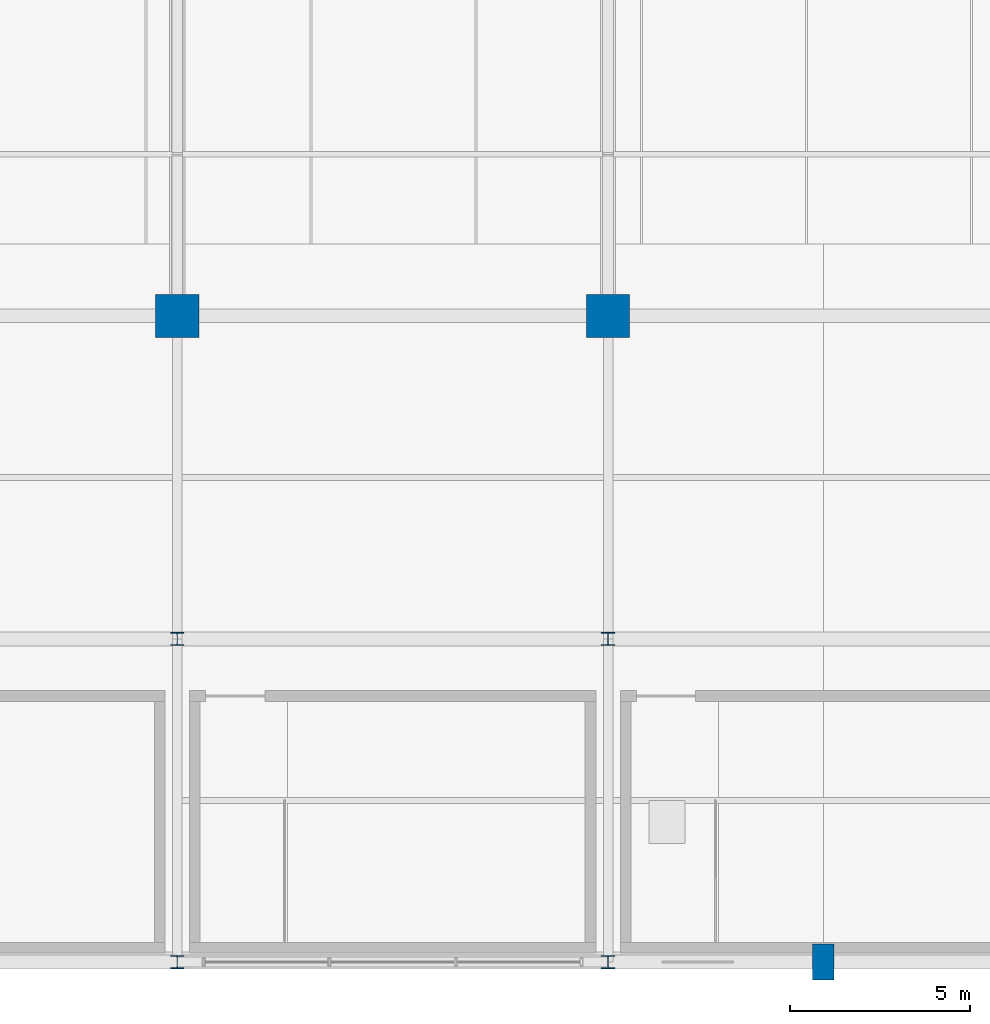
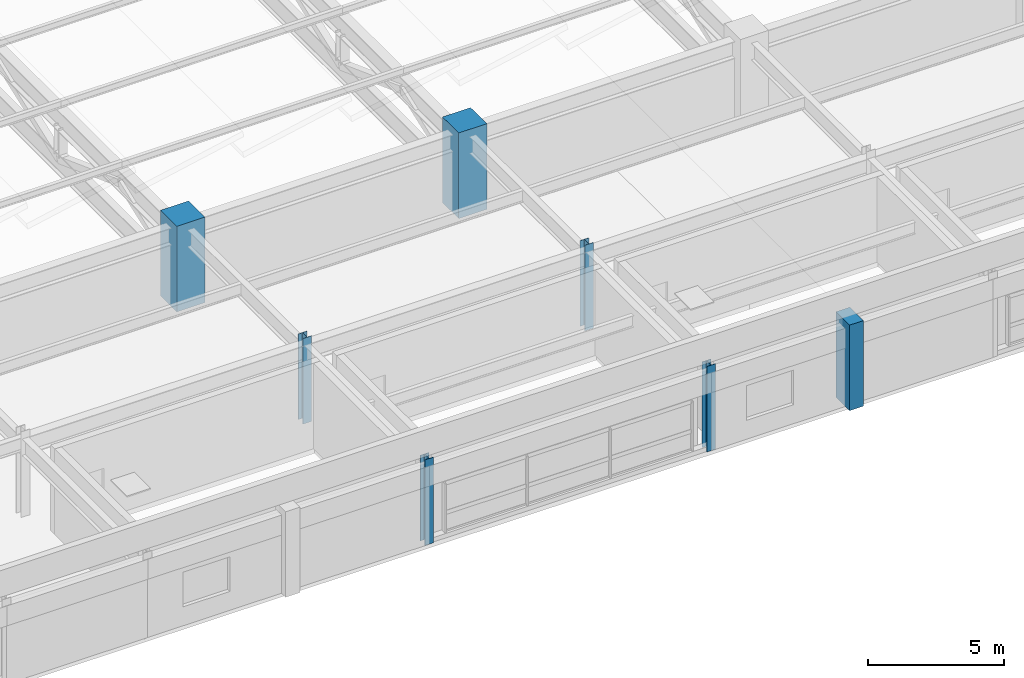
# One storey, part 2 of 108: 7 columns.
"""IFC4 building model written with IfcOpenShell, lengths in metres."""

from ifc_helpers import new_model, si_unit, direction, frame, origin, origin_2d, place, context, subcontext, project, spatial, rectangle, i_section, extrude, material, material_profile, profile_set, type_object, element, save


model = new_model("IFC4")

# Units and contexts
model_context = context("Model", 3, precision=1e-05, world=origin(), true_north=direction((0.0, 1.0)))
body_context = subcontext(model_context, "Body", "Model", "MODEL_VIEW")
ifc_project = project(units=[si_unit("LENGTHUNIT", "METRE"), si_unit("AREAUNIT", "SQUARE_METRE"), si_unit("VOLUMEUNIT", "CUBIC_METRE"), si_unit("PLANEANGLEUNIT", "RADIAN"), si_unit("MASSUNIT", "GRAM", prefix="KILO")], contexts=[model_context])

# Site, building, storey
site_placement = place(None, origin())
site = spatial("IfcSite", under=ifc_project, at=site_placement, CompositionType="ELEMENT")
building_placement = place(site_placement, origin())
building = spatial("IfcBuilding", under=site, at=building_placement, Name="Kaldorvane Square Convention Centre", CompositionType="ELEMENT")
storey_placement = place(building_placement, frame((0.0, 0.0, 23.399993896484375)))
storey = spatial("IfcBuildingStorey", under=building, at=storey_placement, Name="L04", CompositionType="ELEMENT", Elevation=23.399993896484375)

# Columns
ifc_material_1 = material(Name="Concrete f'c = 55 MPa (Normalweight)", Category="concrete")
ifc_material_profile_1 = material_profile(ifc_material_1, rectangle(XDim=1.1999969482421875, YDim=1.1999969482421875, at=origin_2d()), Name="RC1200X1200")
ifc_profile_set_1 = profile_set([ifc_material_profile_1], Name="Concrete f'c = 55 MPa (Normalweight)")
column_type_1 = type_object("IfcColumnType", Name="COL-MEGA-1200", PredefinedType="COLUMN", material=ifc_profile_set_1)
for number, where, z_axis, x_axis, name in (
    (1, (42.0, 18.0, 0.0), (0.0, 0.0, 1.0), (1.0, 0.0, 0.0), "Column MC-02 (L04)"),
    (2, (54.0, 18.0, 0.0), (0.0, 0.0, 1.0), (1.0, 0.0, 0.0), "Column MC-02 (L04)"),
):
    element("IfcColumn", number, at=place(storey_placement, frame(where, z_axis=z_axis, x_axis=x_axis)), inside=storey, type_object=column_type_1, Name=name, PredefinedType="COLUMN", context=body_context, shape_type="SweptSolid", body=[
        extrude(rectangle(XDim=1.1999969482421875, YDim=1.1999969482421875, at=origin_2d()), origin(), (0.0, 0.0, 1.0), 3.850006103515625),
    ])
ifc_material_2 = material(Name="Steel ASTM A992 Gr. 50", Category="steel")
ifc_material_profile_2 = material_profile(ifc_material_2, i_section(OverallWidth=0.3701019287109375, OverallDepth=0.360198974609375, WebThickness=0.012298583984375, FlangeThickness=0.019805908203125, FilletRadius=0.0305023193359375, at=origin_2d()), Name="W14X99")
ifc_profile_set_2 = profile_set([ifc_material_profile_2], Name="Steel ASTM A992 Gr. 50")
column_type_2 = type_object("IfcColumnType", Name="COL-STL-99", PredefinedType="COLUMN", material=ifc_profile_set_2)
for number, where, z_axis, x_axis, name in (
    (3, (42.0, 0.0, 0.0), (0.0, 0.0, 1.0), (1.0, 0.0, 0.0), "Column SC-12 (L04)"),
    (4, (42.0, 9.0, 0.0), (0.0, 0.0, 1.0), (1.0, 0.0, 0.0), "Column SC-12 (L04)"),
    (5, (54.0, 0.0, 0.0), (0.0, 0.0, 1.0), (1.0, 0.0, 0.0), "Column SC-12 (L04)"),
    (6, (54.0, 9.0, 0.0), (0.0, 0.0, 1.0), (1.0, 0.0, 0.0), "Column SC-12 (L04)"),
):
    element("IfcColumn", number, at=place(storey_placement, frame(where, z_axis=z_axis, x_axis=x_axis)), inside=storey, type_object=column_type_2, Name=name, PredefinedType="COLUMN", context=body_context, shape_type="SweptSolid", body=[
        extrude(i_section(OverallWidth=0.3701019287109375, OverallDepth=0.360198974609375, WebThickness=0.012298583984375, FlangeThickness=0.019805908203125, FilletRadius=0.0305023193359375, at=origin_2d()), origin(), (0.0, 0.0, 1.0), 3.850006103515625),
    ])
ifc_material_profile_3 = material_profile(ifc_material_1, rectangle(XDim=0.600006103515625, YDim=1.0, at=origin_2d()), Name="PIL1000X600")
ifc_profile_set_3 = profile_set([ifc_material_profile_3], Name="Concrete f'c = 55 MPa (Normalweight)")
column_type_3 = type_object("IfcColumnType", Name="PIL-BRUT-1000", PredefinedType="PILASTER", material=ifc_profile_set_3)
column_placement = place(storey_placement, frame((60.0, 0.0, 0.0), z_axis=(0.0, 0.0, 1.0), x_axis=(1.0, 0.0, 0.0)))
element("IfcColumn", 7, at=column_placement, inside=storey, type_object=column_type_3, Name="Brutalist Colonnade Pilaster (L04)", PredefinedType="PILASTER", context=body_context, shape_type="SweptSolid", body=[
    extrude(rectangle(XDim=0.600006103515625, YDim=1.0, at=origin_2d()), origin(), (0.0, 0.0, 1.0), 3.850006103515625),
])

save(model, "model.ifc")
